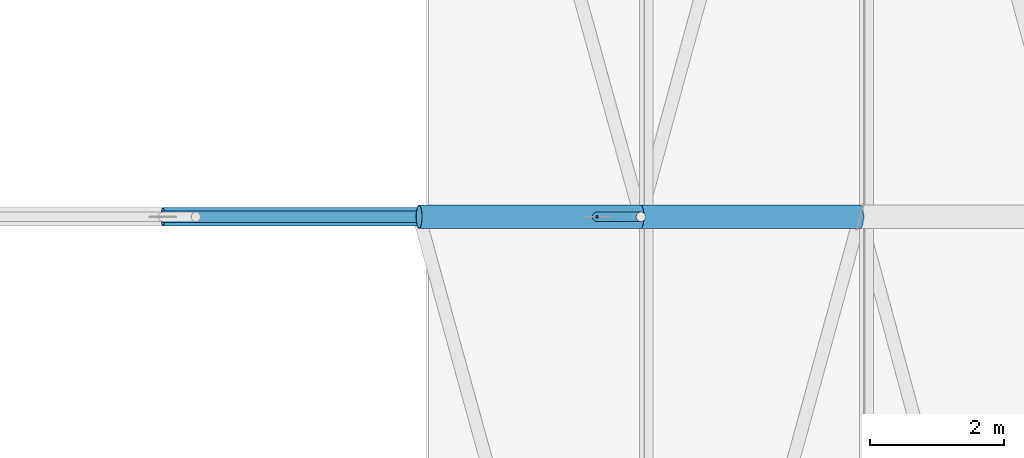
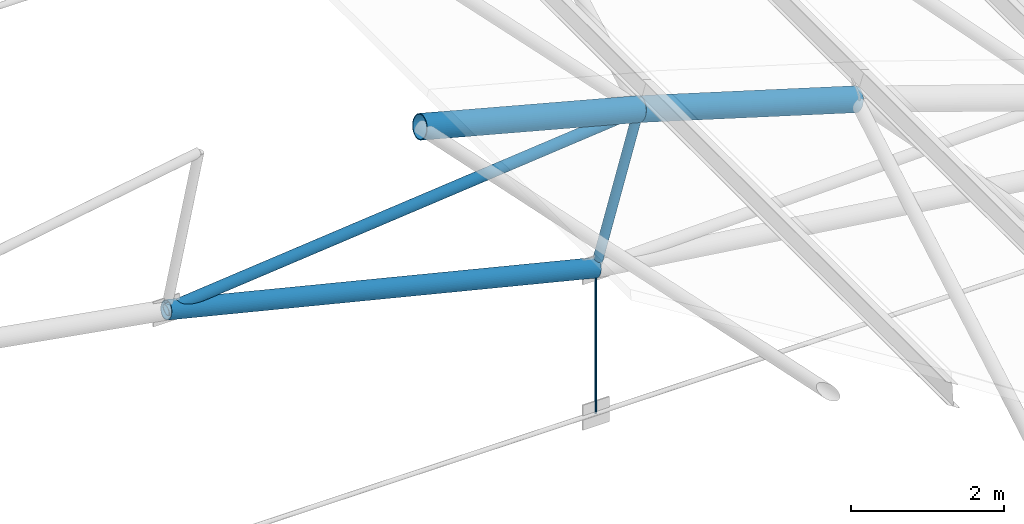
# One storey, part 104 of 321: 6 members.
"""IFC4 building model written with IfcOpenShell, lengths in metres."""

from ifc_helpers import new_model, si_unit, direction, frame, origin, origin_2d, place, context, subcontext, project, spatial, circle, hollow_circle, extrude, material, material_profile, profile_set, type_object, element, save


model = new_model("IFC4")

# Units and contexts
model_context = context("Model", 3, precision=1e-05, world=origin(), true_north=direction((0.0, 1.0)))
body_context = subcontext(model_context, "Body", "Model", "MODEL_VIEW")
ifc_project = project(units=[si_unit("LENGTHUNIT", "METRE"), si_unit("AREAUNIT", "SQUARE_METRE"), si_unit("VOLUMEUNIT", "CUBIC_METRE"), si_unit("PLANEANGLEUNIT", "RADIAN"), si_unit("MASSUNIT", "GRAM", prefix="KILO")], contexts=[model_context])

# Site, building, storey
site_placement = place(None, origin())
site = spatial("IfcSite", under=ifc_project, at=site_placement, CompositionType="ELEMENT")
building_placement = place(site_placement, origin())
building = spatial("IfcBuilding", under=site, at=building_placement, Name="Ravi Spectrum Wholesale Market", CompositionType="ELEMENT")
storey_placement = place(building_placement, frame((0.0, 0.0, 10.800048828125)))
storey = spatial("IfcBuildingStorey", under=building, at=storey_placement, Name="L02", CompositionType="ELEMENT", Elevation=10.800048828125)

# Members
ifc_material_1 = material(Name="Steel S355", Category="steel")
ifc_material_profile_1 = material_profile(ifc_material_1, hollow_circle(Radius=0.06982421875, WallThickness=0.0048828125, at=origin_2d()))
ifc_profile_set_1 = profile_set([ifc_material_profile_1], Name="Steel S355")
member_type_1 = type_object("IfcMemberType", Name="CHS 139.7x5 post", PredefinedType="POST", material=ifc_profile_set_1)
member_1_placement = place(storey_placement, frame((97.103759765625, 114.0, 4.661376953125), z_axis=(-0.272503703517, 0.0, -0.962154733694), x_axis=(0.0, -1.0, 0.0)))
element("IfcMember", 1, at=member_1_placement, inside=storey, type_object=member_type_1, Name="H1-MB-L02-631", PredefinedType="POST", context=body_context, shape_type="SweptSolid", body=[
    extrude(hollow_circle(Radius=0.06982421875, WallThickness=0.0048828125, at=origin_2d()), origin(), (0.0, 0.0, 1.0), 2.400146484375),
])
ifc_material_2 = material(Name="Steel S355", Category="steel")
ifc_material_profile_2 = material_profile(ifc_material_2, hollow_circle(Radius=0.084228515625, WallThickness=0.00634765625, at=origin_2d()))
ifc_profile_set_2 = profile_set([ifc_material_profile_2], Name="Steel S355")
member_type_2 = type_object("IfcMemberType", Name="CHS 168.3x6.3 brace", PredefinedType="BRACE", material=ifc_profile_set_2)
member_2_placement = place(storey_placement, frame((97.103759765625, 114.0, 4.661376953125), z_axis=(-0.995140525262, 0.0, -0.098464892124), x_axis=(0.0, -1.0, 0.0)))
element("IfcMember", 2, at=member_2_placement, inside=storey, type_object=member_type_2, Name="H1-MB-L02-641", PredefinedType="BRACE", context=body_context, shape_type="SweptSolid", body=[
    extrude(hollow_circle(Radius=0.084228515625, WallThickness=0.00634765625, at=origin_2d()), origin(), (0.0, 0.0, 1.0), 7.1904296875),
])
ifc_material_3 = material(Name="Steel S355", Category="steel")
ifc_material_profile_3 = material_profile(ifc_material_3, hollow_circle(Radius=0.136474609375, WallThickness=0.010009765625, at=origin_2d()))
ifc_profile_set_3 = profile_set([ifc_material_profile_3], Name="Steel S355")
member_type_3 = type_object("IfcMemberType", Name="CHS 273x10 chord", PredefinedType="CHORD", material=ifc_profile_set_3)
member_3_placement = place(storey_placement, frame((89.9482421875, 114.0, 3.953369140625), z_axis=(0.970981670562, 0.0, -0.23915391578), x_axis=(0.0, 1.0, 0.0)))
element("IfcMember", 3, at=member_3_placement, inside=storey, type_object=member_type_3, Name="H1-MB-L02-619", PredefinedType="CHORD", context=body_context, shape_type="SweptSolid", body=[
    extrude(hollow_circle(Radius=0.136474609375, WallThickness=0.010009765625, at=origin_2d()), origin(), (0.0, 0.0, 1.0), 6.69580078125),
])
ifc_material_4 = material(Name="Steel S355", Category="steel")
ifc_material_profile_4 = material_profile(ifc_material_4, hollow_circle(Radius=0.177734375, WallThickness=0.012451171875, at=origin_2d()))
ifc_profile_set_4 = profile_set([ifc_material_profile_4], Name="Steel S355")
member_type_4 = type_object("IfcMemberType", Name="CHS 355.6x12.5 chord", PredefinedType="CHORD", material=ifc_profile_set_4)
for number, where, z_axis, x_axis, name in (
    (4, (93.786865234375, 114.0, 5.5390625), (0.966728003216, 0.0, -0.255806504605), (0.0, 1.0, 0.0), "H1-MB-L02-605"),
    (5, (97.103759765625, 114.0, 4.661376953125), (0.957299848506, 0.0, -0.289096869666), (0.0, 1.0, 0.0), "H1-MB-L02-606"),
):
    element("IfcMember", number, at=place(storey_placement, frame(where, z_axis=z_axis, x_axis=x_axis)), inside=storey, type_object=member_type_4, Name=name, PredefinedType="CHORD", context=body_context, shape_type="SweptSolid", body=[
        extrude(hollow_circle(Radius=0.177734375, WallThickness=0.012451171875, at=origin_2d()), origin(), (0.0, 0.0, 1.0), 3.43115234375),
    ])
ifc_material_5 = material(Name="Steel S355", Category="steel")
ifc_material_profile_5 = material_profile(ifc_material_5, circle(Radius=0.01806640625, at=origin_2d()))
ifc_profile_set_5 = profile_set([ifc_material_profile_5], Name="Steel S355")
member_type_5 = type_object("IfcMemberType", Name="ROD 36 hanger", PredefinedType="STRUT", material=ifc_profile_set_5)
member_4_placement = place(storey_placement, frame((96.44970703125, 114.0, 0.023193359375), z_axis=(0.0, 0.0, 1.0), x_axis=(1.0, 0.0, 0.0)))
element("IfcMember", 6, at=member_4_placement, inside=storey, type_object=member_type_5, Name="H1-MB-L02-648", PredefinedType="STRUT", context=body_context, shape_type="SweptSolid", body=[
    extrude(circle(Radius=0.01806640625, at=origin_2d()), origin(), (0.0, 0.0, 1.0), 2.328857421875),
])

save(model, "model.ifc")
